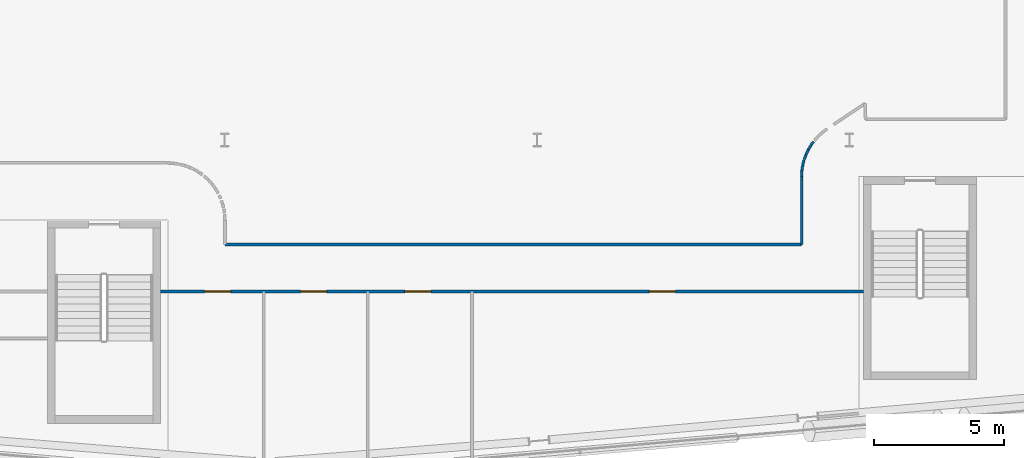
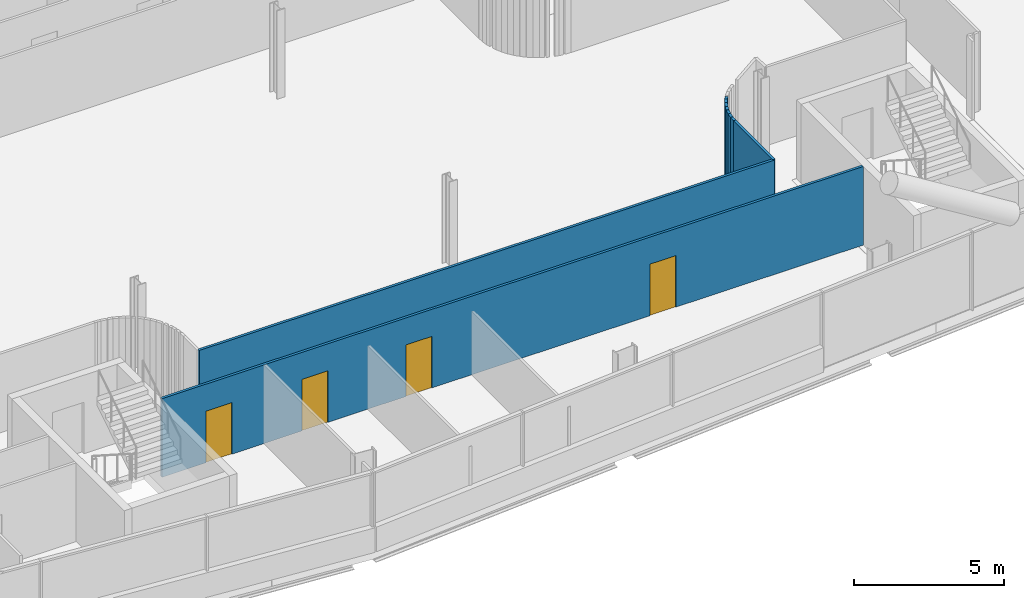
# One storey, part 17 of 31: 10 walls, 4 doors, 4 openings.
"""IFC4 building model written with IfcOpenShell, lengths in metres."""

from ifc_helpers import new_model, si_unit, direction, frame, frame_2d, origin, place, context, subcontext, project, spatial, rectangle, extrude, material, layer, layer_set, type_object, element, fill, save


model = new_model("IFC4")

# Units and contexts
model_context = context("Model", 3, precision=1e-05, world=origin(), true_north=direction((0.0, 1.0)))
body_context = subcontext(model_context, "Body", "Model", "MODEL_VIEW")
ifc_project = project(units=[si_unit("LENGTHUNIT", "METRE"), si_unit("AREAUNIT", "SQUARE_METRE"), si_unit("VOLUMEUNIT", "CUBIC_METRE"), si_unit("PLANEANGLEUNIT", "RADIAN"), si_unit("MASSUNIT", "GRAM", prefix="KILO")], contexts=[model_context])

# Site, building, storey
site_placement = place(None, origin())
site = spatial("IfcSite", under=ifc_project, at=site_placement, CompositionType="ELEMENT")
building_placement = place(site_placement, origin())
building = spatial("IfcBuilding", under=site, at=building_placement, Name="Wharfspan Tower", CompositionType="ELEMENT")
storey_placement = place(building_placement, frame((0.0, 0.0, 103.899902)))
storey = spatial("IfcBuildingStorey", under=building, at=storey_placement, Name="L23", CompositionType="ELEMENT", Elevation=103.899902)

# Wall, openings, doors
ifc_material_1 = material(Name="Gypsum board on steel studs", Category="steel")
ifc_layer = layer(ifc_material_1, 0.100098)
ifc_layer_set = layer_set([ifc_layer], Name="Gypsum board on steel studs")
wall_type = type_object("IfcWallType", Name="Compartment wall 100 EI 60", PredefinedType="PARTITIONING", material=ifc_layer_set)
wall_1_placement = place(storey_placement, frame((45.5354, 5.679932, 0.0), z_axis=(0.0, 0.0, 1.0), x_axis=(1.0, 0.0, 0.0)))
wall_1 = element("IfcWall", 1, at=wall_1_placement, inside=storey, type_object=wall_type, Name="Partition L23.w048", PredefinedType="PARTITIONING", context=body_context, shape_type="SweptSolid", body=[
    extrude(rectangle(XDim=27.005615, YDim=0.100098, at=frame_2d((13.50293, 0.0))), origin(), (0.0, 0.0, 1.0), 3.200195),
])
opening_1_placement = place(wall_1_placement, frame((1.69458, 0.0, 0.0)))
opening_1 = element("IfcOpeningElement", 2, at=opening_1_placement, cuts=wall_1, Name="Opening B2-06", PredefinedType="OPENING", context=body_context, shape_type="SweptSolid", body=[
    extrude(rectangle(XDim=1.0, YDim=2.100098, at=frame_2d((0.5, 1.050049))), frame((0.0, 0.060059, 0.0), z_axis=(0.0, -1.0, 0.0), x_axis=(1.0, 0.0, 0.0)), (0.0, 0.0, 1.0), 0.120117),
])
opening_2_placement = place(wall_1_placement, frame((5.384766, 0.0, 0.0)))
opening_2 = element("IfcOpeningElement", 3, at=opening_2_placement, cuts=wall_1, Name="Opening B2-07", PredefinedType="OPENING", context=body_context, shape_type="SweptSolid", body=[
    extrude(rectangle(XDim=1.0, YDim=2.100098, at=frame_2d((0.5, 1.050049))), frame((0.0, 0.060059, 0.0), z_axis=(0.0, -1.0, 0.0), x_axis=(1.0, 0.0, 0.0)), (0.0, 0.0, 1.0), 0.120117),
])
opening_3_placement = place(wall_1_placement, frame((9.384766, 0.0, 0.0)))
opening_3 = element("IfcOpeningElement", 4, at=opening_3_placement, cuts=wall_1, Name="Opening B2-08", PredefinedType="OPENING", context=body_context, shape_type="SweptSolid", body=[
    extrude(rectangle(XDim=1.0, YDim=2.100098, at=frame_2d((0.5, 1.050049))), frame((0.0, 0.060059, 0.0), z_axis=(0.0, -1.0, 0.0), x_axis=(1.0, 0.0, 0.0)), (0.0, 0.0, 1.0), 0.120117),
])
opening_4_placement = place(wall_1_placement, frame((18.784668, 0.0, 0.0)))
opening_4 = element("IfcOpeningElement", 5, at=opening_4_placement, cuts=wall_1, Name="Opening B2-09", PredefinedType="OPENING", context=body_context, shape_type="SweptSolid", body=[
    extrude(rectangle(XDim=1.0, YDim=2.100098, at=frame_2d((0.5, 1.050049))), frame((0.0, 0.060059, 0.0), z_axis=(0.0, -1.0, 0.0), x_axis=(1.0, 0.0, 0.0)), (0.0, 0.0, 1.0), 0.120117),
])
ifc_material_2 = material(Name="Fire-rated timber door leaf in steel frame", Category="steel")
door_type_1 = type_object("IfcDoorType", Name="Door 1000 FD30S Left", OperationType="SINGLE_SWING_LEFT", PredefinedType="DOOR", material=ifc_material_2)
door_1_placement = place(opening_1_placement, origin())
door_1 = element("IfcDoor", 6, at=door_1_placement, inside=storey, type_object=door_type_1, Name="Door B2-06", OperationType="SINGLE_SWING_LEFT", OverallHeight=2.100098, OverallWidth=1.0, PredefinedType="DOOR", context=body_context, shape_type="SweptSolid", body=[
    extrude(rectangle(XDim=1.0, YDim=2.100098, at=frame_2d((0.5, 1.050049))), frame((0.0, 0.024902, 0.0), z_axis=(0.0, -1.0, 0.0), x_axis=(1.0, 0.0, 0.0)), (0.0, 0.0, 1.0), 0.050049),
])
fill(opening_1, door_1)
door_2_placement = place(opening_2_placement, origin())
door_2 = element("IfcDoor", 7, at=door_2_placement, inside=storey, type_object=door_type_1, Name="Door B2-07", OperationType="SINGLE_SWING_LEFT", OverallHeight=2.100098, OverallWidth=1.0, PredefinedType="DOOR", context=body_context, shape_type="SweptSolid", body=[
    extrude(rectangle(XDim=1.0, YDim=2.100098, at=frame_2d((0.5, 1.050049))), frame((0.0, 0.024902, 0.0), z_axis=(0.0, -1.0, 0.0), x_axis=(1.0, 0.0, 0.0)), (0.0, 0.0, 1.0), 0.050049),
])
fill(opening_2, door_2)
door_3_placement = place(opening_3_placement, origin())
door_3 = element("IfcDoor", 8, at=door_3_placement, inside=storey, type_object=door_type_1, Name="Door B2-08", OperationType="SINGLE_SWING_LEFT", OverallHeight=2.100098, OverallWidth=1.0, PredefinedType="DOOR", context=body_context, shape_type="SweptSolid", body=[
    extrude(rectangle(XDim=1.0, YDim=2.100098, at=frame_2d((0.5, 1.050049))), frame((0.0, 0.024902, 0.0), z_axis=(0.0, -1.0, 0.0), x_axis=(1.0, 0.0, 0.0)), (0.0, 0.0, 1.0), 0.050049),
])
fill(opening_3, door_3)
door_type_2 = type_object("IfcDoorType", Name="Door 1000 FD30S Right", OperationType="SINGLE_SWING_RIGHT", PredefinedType="DOOR", material=ifc_material_2)
door_4_placement = place(opening_4_placement, origin())
door_4 = element("IfcDoor", 9, at=door_4_placement, inside=storey, type_object=door_type_2, Name="Door B2-09", OperationType="SINGLE_SWING_RIGHT", OverallHeight=2.100098, OverallWidth=1.0, PredefinedType="DOOR", context=body_context, shape_type="SweptSolid", body=[
    extrude(rectangle(XDim=1.0, YDim=2.100098, at=frame_2d((0.5, 1.050049))), frame((0.0, 0.024902, 0.0), z_axis=(0.0, -1.0, 0.0), x_axis=(1.0, 0.0, 0.0)), (0.0, 0.0, 1.0), 0.050049),
])
fill(opening_4, door_4)

# Walls
wall_2_placement = place(storey_placement, frame((48.01001, 7.485107, 0.0), z_axis=(0.0, 0.0, 1.0), x_axis=(1.0, 0.0, 0.0)))
element("IfcWall", 10, at=wall_2_placement, inside=storey, type_object=wall_type, Name="Partition L23.w067", PredefinedType="PARTITIONING", context=body_context, shape_type="SweptSolid", body=[
    extrude(rectangle(XDim=22.155029, YDim=0.100098, at=frame_2d((11.077637, 0.0))), origin(), (0.0, 0.0, 1.0), 3.200195),
])
wall_3_placement = place(storey_placement, frame((70.165039, 7.485107, 0.0), z_axis=(0.0, 0.0, 1.0), x_axis=(0.0, 1.0, 0.0)))
element("IfcWall", 11, at=wall_3_placement, inside=storey, type_object=wall_type, Name="Partition L23.w102", PredefinedType="PARTITIONING", context=body_context, shape_type="SweptSolid", body=[
    extrude(rectangle(XDim=2.609863, YDim=0.100098, at=frame_2d((1.304932, 0.0))), origin(), (0.0, 0.0, 1.0), 3.200195),
])
wall_4_placement = place(storey_placement, frame((70.165039, 10.094971, 0.0), z_axis=(0.0, 0.0, 1.0), x_axis=(0.046488, 0.998923, 0.0)))
element("IfcWall", 12, at=wall_4_placement, inside=storey, type_object=wall_type, Name="Partition L23.w103", PredefinedType="PARTITIONING", context=body_context, shape_type="SweptSolid", body=[
    extrude(rectangle(XDim=0.215332, YDim=0.100098, at=frame_2d((0.107666, 0.0))), origin(), (0.0, 0.0, 1.0), 3.200195),
])
wall_5_placement = place(storey_placement, frame((70.175049, 10.310059, 0.0), z_axis=(0.0, 0.0, 1.0), x_axis=(0.138427, 0.990372, 0.0)))
element("IfcWall", 13, at=wall_5_placement, inside=storey, type_object=wall_type, Name="Partition L23.w104", PredefinedType="PARTITIONING", context=body_context, shape_type="SweptSolid", body=[
    extrude(rectangle(XDim=0.217041, YDim=0.100098, at=frame_2d((0.108398, 0.0))), origin(), (0.0, 0.0, 1.0), 3.200195),
])
wall_6_placement = place(storey_placement, frame((70.205078, 10.524902, 0.0), z_axis=(0.0, 0.0, 1.0), x_axis=(0.252833, 0.967508, 0.0)))
element("IfcWall", 14, at=wall_6_placement, inside=storey, type_object=wall_type, Name="Partition L23.w105", PredefinedType="PARTITIONING", context=body_context, shape_type="SweptSolid", body=[
    extrude(rectangle(XDim=0.217285, YDim=0.100098, at=frame_2d((0.108643, 0.0))), origin(), (0.0, 0.0, 1.0), 3.200195),
])
wall_7_placement = place(storey_placement, frame((70.264893, 10.75, 0.0), z_axis=(0.0, 0.0, 1.0), x_axis=(0.354097, 0.935211, 0.0)))
element("IfcWall", 15, at=wall_7_placement, inside=storey, type_object=wall_type, Name="Partition L23.w106", PredefinedType="PARTITIONING", context=body_context, shape_type="SweptSolid", body=[
    extrude(rectangle(XDim=0.197998, YDim=0.100098, at=frame_2d((0.099121, 0.0))), origin(), (0.0, 0.0, 1.0), 3.200195),
])
wall_8_placement = place(storey_placement, frame((70.334961, 10.935059, 0.0), z_axis=(0.0, 0.0, 1.0), x_axis=(0.419707, 0.907659, 0.0)))
element("IfcWall", 16, at=wall_8_placement, inside=storey, type_object=wall_type, Name="Partition L23.w107", PredefinedType="PARTITIONING", context=body_context, shape_type="SweptSolid", body=[
    extrude(rectangle(XDim=0.2146, YDim=0.100098, at=frame_2d((0.107422, 0.0))), origin(), (0.0, 0.0, 1.0), 3.200195),
])
wall_9_placement = place(storey_placement, frame((70.425049, 11.129883, 0.0), z_axis=(0.0, 0.0, 1.0), x_axis=(0.510487, 0.859887, 0.0)))
element("IfcWall", 17, at=wall_9_placement, inside=storey, type_object=wall_type, Name="Partition L23.w108", PredefinedType="PARTITIONING", context=body_context, shape_type="SweptSolid", body=[
    extrude(rectangle(XDim=0.215332, YDim=0.100098, at=frame_2d((0.107666, 0.0))), origin(), (0.0, 0.0, 1.0), 3.200195),
])
wall_10_placement = place(storey_placement, frame((70.534912, 11.320068, 0.0), z_axis=(0.0, 0.0, 1.0), x_axis=(0.620989, 0.783819, 0.0)))
element("IfcWall", 18, at=wall_10_placement, inside=storey, type_object=wall_type, Name="Partition L23.w109", PredefinedType="PARTITIONING", context=body_context, shape_type="SweptSolid", body=[
    extrude(rectangle(XDim=0.152832, YDim=0.100098, at=frame_2d((0.076416, 0.0))), origin(), (0.0, 0.0, 1.0), 3.200195),
])

save(model, "model.ifc")
